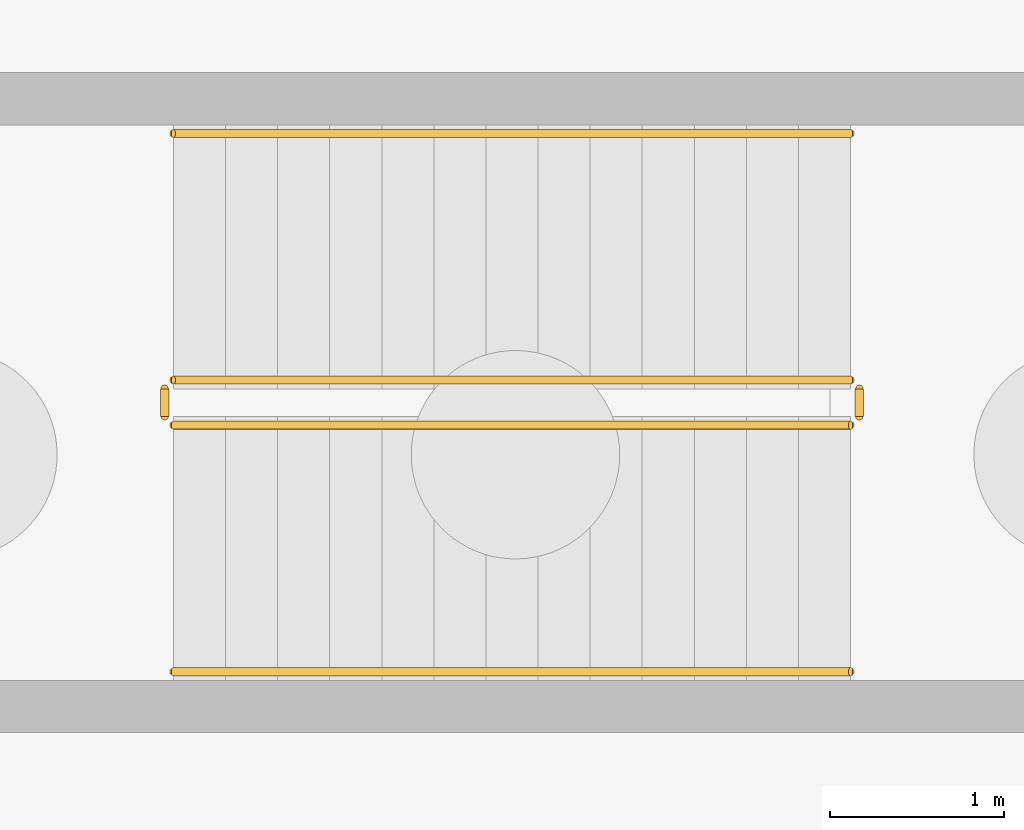
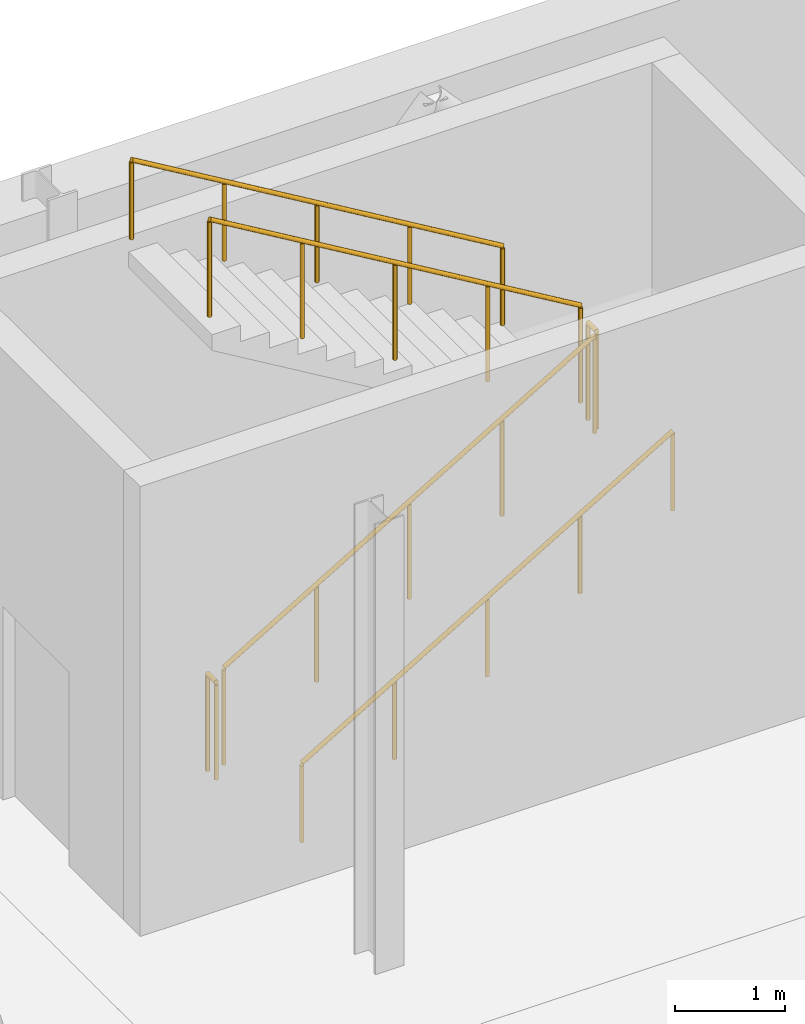
# One storey, part 43 of 47: 6 railings.
"""IFC4 building model written with IfcOpenShell, lengths in metres."""

from ifc_helpers import new_model, si_unit, direction, frame, origin, origin_2d, place, context, subcontext, project, spatial, circle, extrude, material, type_object, element, save


model = new_model("IFC4")

# Units and contexts
model_context = context("Model", 3, precision=1e-05, world=origin(), true_north=direction((0.0, 1.0)))
body_context = subcontext(model_context, "Body", "Model", "MODEL_VIEW")
ifc_project = project(units=[si_unit("LENGTHUNIT", "METRE"), si_unit("AREAUNIT", "SQUARE_METRE"), si_unit("VOLUMEUNIT", "CUBIC_METRE"), si_unit("PLANEANGLEUNIT", "RADIAN"), si_unit("MASSUNIT", "GRAM", prefix="KILO")], contexts=[model_context])

# Site, building, storey
site_placement = place(None, origin())
site = spatial("IfcSite", under=ifc_project, at=site_placement, CompositionType="ELEMENT")
building_placement = place(site_placement, origin())
building = spatial("IfcBuilding", under=site, at=building_placement, Name="Cymarion Research Institute", CompositionType="ELEMENT")
storey_placement = place(building_placement, frame((0.0, 0.0, -5.0)))
storey = spatial("IfcBuildingStorey", under=building, at=storey_placement, Name="B1", CompositionType="ELEMENT", Elevation=-5.0)

# Railings
ifc_material = material(Name="Steel S355", Category="steel")
railing_type_1 = type_object("IfcRailingType", Name="PAINTED STEEL STAIR GUARDRAIL GR1 1100MM", PredefinedType="GUARDRAIL", material=ifc_material)
railing_1_placement = place(storey_placement, frame((38.800048828125, 112.669921875, 0.178466796875)))
element("IfcRailing", 1, at=railing_1_placement, inside=storey, type_object=railing_type_1, Name="B1 ST10 stair guard 1", PredefinedType="GUARDRAIL", context=body_context, shape_type="SweptSolid", body=[
    extrude(circle(Radius=0.02392578125, at=origin_2d()), frame((0.0, 0.0, 1.076171875), z_axis=(0.85927712236, 0.0, 0.511510339083), x_axis=(0.0, 1.0, 0.0)), (0.0, 0.0, 1.0), 4.53857421875),
    extrude(circle(Radius=0.02099609375, at=origin_2d()), origin(), (0.0, 0.0, 1.0), 1.052001953125),
    extrude(circle(Radius=0.02099609375, at=origin_2d()), frame((0.97509765625, 0.0, 0.580322265625)), (0.0, 0.0, 1.0), 1.052001953125),
    extrude(circle(Radius=0.02099609375, at=origin_2d()), frame((1.949951171875, 0.0, 1.16064453125)), (0.0, 0.0, 1.0), 1.052001953125),
    extrude(circle(Radius=0.02099609375, at=origin_2d()), frame((2.9248046875, 0.0, 1.7412109375)), (0.0, 0.0, 1.0), 1.052001953125),
    extrude(circle(Radius=0.02099609375, at=origin_2d()), frame((3.89990234375, 0.0, 2.321533203125)), (0.0, 0.0, 1.0), 1.052001953125),
])
railing_2_placement = place(storey_placement, frame((42.75, 112.719970703125, 2.5)))
element("IfcRailing", 2, at=railing_2_placement, inside=storey, type_object=railing_type_1, Name="B1 ST10 stair guard 2", PredefinedType="GUARDRAIL", context=body_context, shape_type="SweptSolid", body=[
    extrude(circle(Radius=0.02392578125, at=origin_2d()), frame((0.0, 0.0, 1.076171875), z_axis=(0.0, 1.0, 0.0), x_axis=(-1.0, 0.0, 0.0)), (0.0, 0.0, 1.0), 0.159912109375),
    extrude(circle(Radius=0.02099609375, at=origin_2d()), origin(), (0.0, 0.0, 1.0), 1.052001953125),
    extrude(circle(Radius=0.02099609375, at=origin_2d()), frame((0.0, 0.159912109375, 0.0)), (0.0, 0.0, 1.0), 1.052001953125),
])
railing_3_placement = place(storey_placement, frame((42.699951171875, 112.929931640625, 2.678466796875)))
element("IfcRailing", 3, at=railing_3_placement, inside=storey, type_object=railing_type_1, Name="B1 ST10 stair guard 3", PredefinedType="GUARDRAIL", context=body_context, shape_type="SweptSolid", body=[
    extrude(circle(Radius=0.02392578125, at=origin_2d()), frame((0.0, 0.0, 1.076171875), z_axis=(-0.85927712236, 0.0, 0.511510339083), x_axis=(0.0, -1.0, 0.0)), (0.0, 0.0, 1.0), 4.53857421875),
    extrude(circle(Radius=0.02099609375, at=origin_2d()), origin(), (0.0, 0.0, 1.0), 1.052001953125),
    extrude(circle(Radius=0.02099609375, at=origin_2d()), frame((-0.97509765625, 0.0, 0.580322265625)), (0.0, 0.0, 1.0), 1.052001953125),
    extrude(circle(Radius=0.02099609375, at=origin_2d()), frame((-1.949951171875, 0.0, 1.16064453125)), (0.0, 0.0, 1.0), 1.052001953125),
    extrude(circle(Radius=0.02099609375, at=origin_2d()), frame((-2.9248046875, 0.0, 1.7412109375)), (0.0, 0.0, 1.0), 1.052001953125),
    extrude(circle(Radius=0.02099609375, at=origin_2d()), frame((-3.89990234375, 0.0, 2.321533203125)), (0.0, 0.0, 1.0), 1.052001953125),
])
railing_4_placement = place(storey_placement, frame((38.75, 112.719970703125, 0.0)))
element("IfcRailing", 4, at=railing_4_placement, inside=storey, type_object=railing_type_1, Name="B1 ST10 stair guard 4", PredefinedType="GUARDRAIL", context=body_context, shape_type="SweptSolid", body=[
    extrude(circle(Radius=0.02392578125, at=origin_2d()), frame((0.0, 0.0, 1.076171875), z_axis=(0.0, 1.0, 0.0), x_axis=(-1.0, 0.0, 0.0)), (0.0, 0.0, 1.0), 0.159912109375),
    extrude(circle(Radius=0.02099609375, at=origin_2d()), origin(), (0.0, 0.0, 1.0), 1.052001953125),
    extrude(circle(Radius=0.02099609375, at=origin_2d()), frame((0.0, 0.159912109375, 0.0)), (0.0, 0.0, 1.0), 1.052001953125),
])
railing_type_2 = type_object("IfcRailingType", Name="STAINLESS STEEL STAIR HANDRAIL HR1 900MM", PredefinedType="HANDRAIL", material=ifc_material)
railing_5_placement = place(storey_placement, frame((38.800048828125, 111.25, 0.178466796875)))
element("IfcRailing", 5, at=railing_5_placement, inside=storey, type_object=railing_type_2, Name="B1 ST10 stair handrail 1", PredefinedType="HANDRAIL", context=body_context, shape_type="SweptSolid", body=[
    extrude(circle(Radius=0.02392578125, at=origin_2d()), frame((0.0, 0.0, 0.8759765625), z_axis=(0.85927712236, 0.0, 0.511510339083), x_axis=(0.0, 1.0, 0.0)), (0.0, 0.0, 1.0), 4.53857421875),
    extrude(circle(Radius=0.02099609375, at=origin_2d()), origin(), (0.0, 0.0, 1.0), 0.851806640625),
    extrude(circle(Radius=0.02099609375, at=origin_2d()), frame((0.97509765625, 0.0, 0.580322265625)), (0.0, 0.0, 1.0), 0.851806640625),
    extrude(circle(Radius=0.02099609375, at=origin_2d()), frame((1.949951171875, 0.0, 1.16064453125)), (0.0, 0.0, 1.0), 0.851806640625),
    extrude(circle(Radius=0.02099609375, at=origin_2d()), frame((2.9248046875, 0.0, 1.7412109375)), (0.0, 0.0, 1.0), 0.851806640625),
    extrude(circle(Radius=0.02099609375, at=origin_2d()), frame((3.89990234375, 0.0, 2.321533203125)), (0.0, 0.0, 1.0), 0.851806640625),
])
railing_6_placement = place(storey_placement, frame((42.699951171875, 114.35009765625, 2.678466796875)))
element("IfcRailing", 6, at=railing_6_placement, inside=storey, type_object=railing_type_2, Name="B1 ST10 stair handrail 2", PredefinedType="HANDRAIL", context=body_context, shape_type="SweptSolid", body=[
    extrude(circle(Radius=0.02392578125, at=origin_2d()), frame((0.0, 0.0, 0.8759765625), z_axis=(-0.85927712236, 0.0, 0.511510339083), x_axis=(0.0, -1.0, 0.0)), (0.0, 0.0, 1.0), 4.53857421875),
    extrude(circle(Radius=0.02099609375, at=origin_2d()), origin(), (0.0, 0.0, 1.0), 0.851806640625),
    extrude(circle(Radius=0.02099609375, at=origin_2d()), frame((-0.97509765625, 0.0, 0.580322265625)), (0.0, 0.0, 1.0), 0.851806640625),
    extrude(circle(Radius=0.02099609375, at=origin_2d()), frame((-1.949951171875, 0.0, 1.16064453125)), (0.0, 0.0, 1.0), 0.851806640625),
    extrude(circle(Radius=0.02099609375, at=origin_2d()), frame((-2.9248046875, 0.0, 1.7412109375)), (0.0, 0.0, 1.0), 0.851806640625),
    extrude(circle(Radius=0.02099609375, at=origin_2d()), frame((-3.89990234375, 0.0, 2.321533203125)), (0.0, 0.0, 1.0), 0.851806640625),
])

save(model, "model.ifc")
